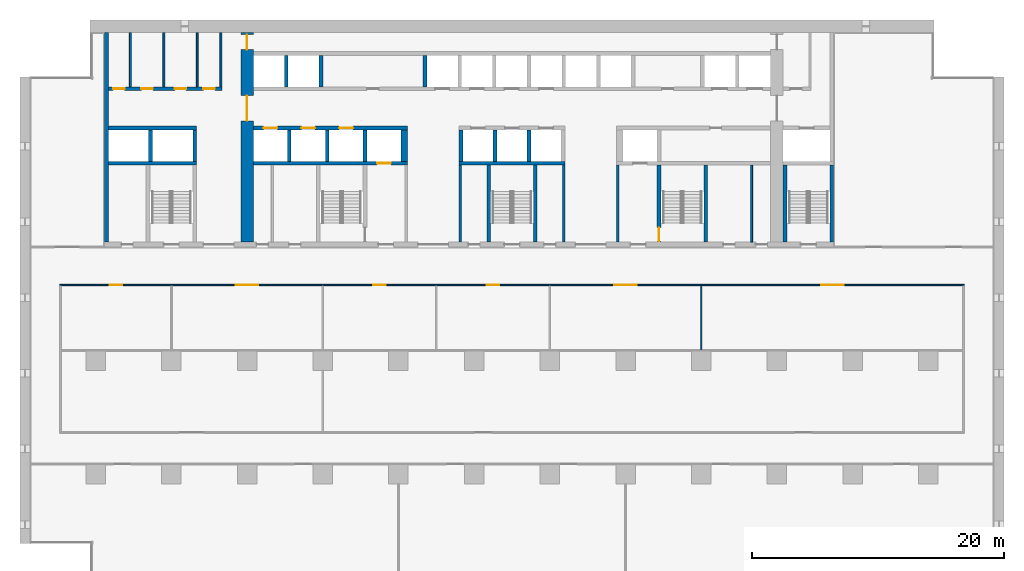
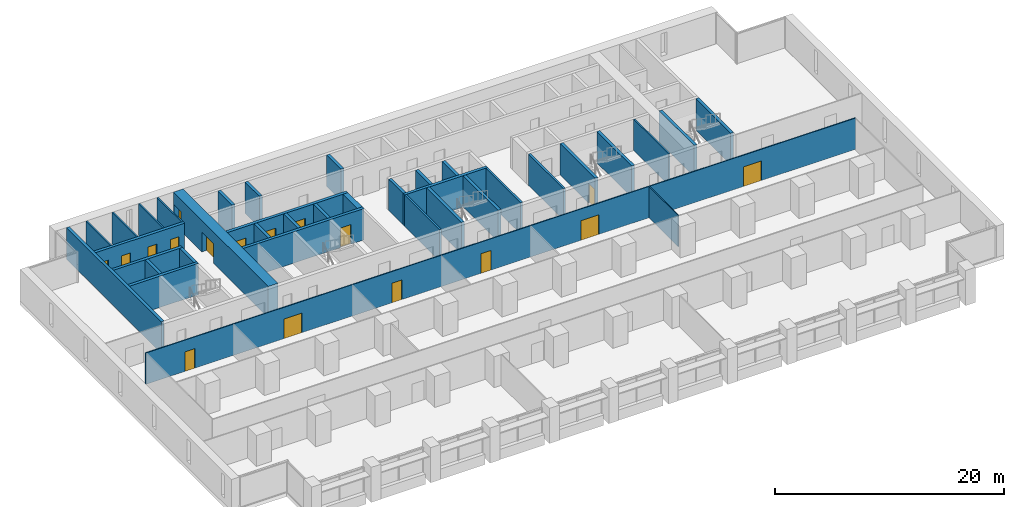
# One storey, part 10 of 17: 36 walls, 17 doors, 17 openings.
"""IFC4 building model written with IfcOpenShell, lengths in metres."""

from ifc_helpers import new_model, si_unit, direction, frame, frame_2d, origin, place, context, subcontext, project, spatial, rectangle, extrude, material, layer, layer_set, type_object, element, fill, save


model = new_model("IFC4")

# Units and contexts
model_context = context("Model", 3, precision=1e-05, world=origin(), true_north=direction((0.0, 1.0)))
body_context = subcontext(model_context, "Body", "Model", "MODEL_VIEW")
ifc_project = project(units=[si_unit("LENGTHUNIT", "METRE"), si_unit("AREAUNIT", "SQUARE_METRE"), si_unit("VOLUMEUNIT", "CUBIC_METRE"), si_unit("PLANEANGLEUNIT", "RADIAN"), si_unit("MASSUNIT", "GRAM", prefix="KILO")], contexts=[model_context])

# Site, building, storey
site_placement = place(None, origin())
site = spatial("IfcSite", under=ifc_project, at=site_placement, CompositionType="ELEMENT")
building_placement = place(site_placement, origin())
building = spatial("IfcBuilding", under=site, at=building_placement, Name="Calvaro Tower", CompositionType="ELEMENT")
storey_placement = place(building_placement, frame((0.0, 0.0, 75.0)))
storey = spatial("IfcBuildingStorey", under=building, at=storey_placement, Name="L18", CompositionType="ELEMENT", Elevation=75.0)

# Walls
ifc_material_1 = material(Name="Blockwork partition", Category="masonry")
ifc_layer_1 = layer(ifc_material_1, 0.14990234375)
ifc_layer_set_1 = layer_set([ifc_layer_1], Name="Blockwork partition")
wall_type_1 = type_object("IfcWallType", Name="Core partition 150 EI 60", PredefinedType="PARTITIONING", material=ifc_layer_set_1)
wall_1_placement = place(storey_placement, frame((58.0, 28.39990234375, 0.0), z_axis=(0.0, 0.0, 1.0), x_axis=(0.0, 1.0, 0.0)))
element("IfcWall", 1, at=wall_1_placement, inside=storey, type_object=wall_type_1, Name="Core partition", PredefinedType="PARTITIONING", context=body_context, shape_type="SweptSolid", body=[
    extrude(rectangle(XDim=6.10009765625, YDim=0.14990234375, at=frame_2d((3.050048828125, 0.0))), origin(), (0.0, 0.0, 1.0), 3.35009765625),
])
for number, where, z_axis, x_axis, name in (
    (2, (8.75, 40.699951171875, 0.0), (0.0, 0.0, 1.0), (0.0, 1.0, 0.0), "Core partition"),
    (3, (11.39990234375, 40.699951171875, 0.0), (0.0, 0.0, 1.0), (0.0, 1.0, 0.0), "Core partition"),
    (4, (14.050048828125, 40.699951171875, 0.0), (0.0, 0.0, 1.0), (0.0, 1.0, 0.0), "Core partition"),
):
    element("IfcWall", number, at=place(storey_placement, frame(where, z_axis=z_axis, x_axis=x_axis)), inside=storey, type_object=wall_type_1, Name=name, PredefinedType="PARTITIONING", context=body_context, shape_type="SweptSolid", body=[
        extrude(rectangle(XDim=4.300048828125, YDim=0.14990234375, at=frame_2d((2.14990234375, 0.0))), origin(), (0.0, 0.0, 1.0), 3.35009765625),
    ])
ifc_material_2 = material(Name="Blockwork partition", Category="masonry")
ifc_layer_2 = layer(ifc_material_2, 0.14990234375)
ifc_layer_set_2 = layer_set([ifc_layer_2], Name="Blockwork partition")
wall_type_2 = type_object("IfcWallType", Name="Core partition 150 REI 120", PredefinedType="PARTITIONING", material=ifc_layer_set_2)
wall_2_placement = place(storey_placement, frame((15.925048828125, 40.699951171875, 0.0), z_axis=(0.0, 0.0, 1.0), x_axis=(0.0, 1.0, 0.0)))
element("IfcWall", 5, at=wall_2_placement, inside=storey, type_object=wall_type_2, Name="Core partition", PredefinedType="PARTITIONING", context=body_context, shape_type="SweptSolid", body=[
    extrude(rectangle(XDim=4.300048828125, YDim=0.14990234375, at=frame_2d((2.14990234375, 0.0))), origin(), (0.0, 0.0, 1.0), 3.35009765625),
])
ifc_material_3 = material(Name="Blockwork partition", Category="masonry")
ifc_layer_3 = layer(ifc_material_3, 0.199951171875)
ifc_layer_set_3 = layer_set([ifc_layer_3], Name="Blockwork partition")
wall_type_3 = type_object("IfcWallType", Name="Core partition 200 REI 120", PredefinedType="PARTITIONING", material=ifc_layer_set_3)
for number, where, z_axis, x_axis, name in (
    (6, (34.89990234375, 28.39990234375, 0.0), (0.0, 0.0, 1.0), (0.0, 1.0, 0.0), "Core partition"),
    (7, (43.10009765625, 28.39990234375, 0.0), (0.0, 0.0, 1.0), (0.0, 1.0, 0.0), "Core partition"),
    (8, (47.39990234375, 28.39990234375, 0.0), (0.0, 0.0, 1.0), (0.0, 1.0, 0.0), "Core partition"),
):
    element("IfcWall", number, at=place(storey_placement, frame(where, z_axis=z_axis, x_axis=x_axis)), inside=storey, type_object=wall_type_3, Name=name, PredefinedType="PARTITIONING", context=body_context, shape_type="SweptSolid", body=[
        extrude(rectangle(XDim=6.10009765625, YDim=0.199951171875, at=frame_2d((3.050048828125, 0.0))), origin(), (0.0, 0.0, 1.0), 3.35009765625),
    ])

# Wall, openings, doors
ifc_material_4 = material(Name="Blockwork partition", Category="masonry")
ifc_layer_4 = layer(ifc_material_4, 0.300048828125)
ifc_layer_set_4 = layer_set([ifc_layer_4], Name="Blockwork partition")
wall_type_4 = type_object("IfcWallType", Name="Core partition 300 REI 120", PredefinedType="PARTITIONING", material=ifc_layer_set_4)
wall_3_placement = place(storey_placement, frame((7.0, 40.550048828125, 0.0), z_axis=(0.0, 0.0, 1.0), x_axis=(1.0, 0.0, 0.0)))
wall_3 = element("IfcWall", 9, at=wall_3_placement, inside=storey, type_object=wall_type_4, Name="Core partition", PredefinedType="PARTITIONING", context=body_context, shape_type="SweptSolid", body=[
    extrude(rectangle(XDim=9.0, YDim=0.300048828125, at=frame_2d((4.5, 0.0))), origin(), (0.0, 0.0, 1.0), 3.35009765625),
])
opening_1_placement = place(wall_3_placement, frame((0.387451171875, 0.0, 0.0)))
opening_1 = element("IfcOpeningElement", 10, at=opening_1_placement, cuts=wall_3, Name="Opening RD9C", PredefinedType="OPENING", context=body_context, shape_type="SweptSolid", body=[
    extrude(rectangle(XDim=0.89990234375, YDim=2.10009765625, at=frame_2d((0.449951171875, 1.050048828125))), frame((0.0, 0.159912109375, 0.0), z_axis=(0.0, -1.0, 0.0), x_axis=(1.0, 0.0, 0.0)), (0.0, 0.0, 1.0), 0.320068359375),
])
opening_2_placement = place(wall_3_placement, frame((2.625, 0.0, 0.0)))
opening_2 = element("IfcOpeningElement", 11, at=opening_2_placement, cuts=wall_3, Name="Opening RD9", PredefinedType="OPENING", context=body_context, shape_type="SweptSolid", body=[
    extrude(rectangle(XDim=0.89990234375, YDim=2.10009765625, at=frame_2d((0.449951171875, 1.050048828125))), frame((0.0, 0.159912109375, 0.0), z_axis=(0.0, -1.0, 0.0), x_axis=(1.0, 0.0, 0.0)), (0.0, 0.0, 1.0), 0.320068359375),
])
opening_3_placement = place(wall_3_placement, frame((5.27490234375, 0.0, 0.0)))
opening_3 = element("IfcOpeningElement", 12, at=opening_3_placement, cuts=wall_3, Name="Opening RD9", PredefinedType="OPENING", context=body_context, shape_type="SweptSolid", body=[
    extrude(rectangle(XDim=0.89990234375, YDim=2.10009765625, at=frame_2d((0.449951171875, 1.050048828125))), frame((0.0, 0.159912109375, 0.0), z_axis=(0.0, -1.0, 0.0), x_axis=(1.0, 0.0, 0.0)), (0.0, 0.0, 1.0), 0.320068359375),
])
opening_4_placement = place(wall_3_placement, frame((7.53759765625, 0.0, 0.0)))
opening_4 = element("IfcOpeningElement", 13, at=opening_4_placement, cuts=wall_3, Name="Opening RD9", PredefinedType="OPENING", context=body_context, shape_type="SweptSolid", body=[
    extrude(rectangle(XDim=0.89990234375, YDim=2.10009765625, at=frame_2d((0.449951171875, 1.050048828125))), frame((0.0, 0.159912109375, 0.0), z_axis=(0.0, -1.0, 0.0), x_axis=(1.0, 0.0, 0.0)), (0.0, 0.0, 1.0), 0.320068359375),
])
ifc_material_5 = material(Name="Steel door set", Category="steel")
door_type_1 = type_object("IfcDoorType", Name="Room door 900", OperationType="SINGLE_SWING_LEFT", PredefinedType="DOOR", material=ifc_material_5)
door_1_placement = place(opening_2_placement, origin())
door_1 = element("IfcDoor", 14, at=door_1_placement, inside=storey, type_object=door_type_1, Name="Room door", OperationType="SINGLE_SWING_LEFT", OverallHeight=2.10009765625, OverallWidth=0.89990234375, PredefinedType="DOOR", context=body_context, shape_type="SweptSolid", body=[
    extrude(rectangle(XDim=0.89990234375, YDim=2.10009765625, at=frame_2d((0.449951171875, 1.050048828125))), frame((0.0, 0.02490234375, 0.0), z_axis=(0.0, -1.0, 0.0), x_axis=(1.0, 0.0, 0.0)), (0.0, 0.0, 1.0), 0.050048828125),
])
fill(opening_2, door_1)
door_2_placement = place(opening_3_placement, origin())
door_2 = element("IfcDoor", 15, at=door_2_placement, inside=storey, type_object=door_type_1, Name="Room door", OperationType="SINGLE_SWING_LEFT", OverallHeight=2.10009765625, OverallWidth=0.89990234375, PredefinedType="DOOR", context=body_context, shape_type="SweptSolid", body=[
    extrude(rectangle(XDim=0.89990234375, YDim=2.10009765625, at=frame_2d((0.449951171875, 1.050048828125))), frame((0.0, 0.02490234375, 0.0), z_axis=(0.0, -1.0, 0.0), x_axis=(1.0, 0.0, 0.0)), (0.0, 0.0, 1.0), 0.050048828125),
])
fill(opening_3, door_2)
door_3_placement = place(opening_4_placement, origin())
door_3 = element("IfcDoor", 16, at=door_3_placement, inside=storey, type_object=door_type_1, Name="Room door", OperationType="SINGLE_SWING_RIGHT", OverallHeight=2.10009765625, OverallWidth=0.89990234375, PredefinedType="DOOR", context=body_context, shape_type="SweptSolid", body=[
    extrude(rectangle(XDim=0.89990234375, YDim=2.10009765625, at=frame_2d((0.449951171875, 1.050048828125))), frame((0.0, 0.02490234375, 0.0), z_axis=(0.0, -1.0, 0.0), x_axis=(1.0, 0.0, 0.0)), (0.0, 0.0, 1.0), 0.050048828125),
])
fill(opening_4, door_3)
ifc_material_6 = material(Name="Steel door set", Category="steel")
door_type_2 = type_object("IfcDoorType", Name="Room door 900 FD30", OperationType="SINGLE_SWING_LEFT", PredefinedType="DOOR", material=ifc_material_6)
door_4_placement = place(opening_1_placement, origin())
door_4 = element("IfcDoor", 17, at=door_4_placement, inside=storey, type_object=door_type_2, Name="Room door", OperationType="SINGLE_SWING_LEFT", OverallHeight=2.10009765625, OverallWidth=0.89990234375, PredefinedType="DOOR", context=body_context, shape_type="SweptSolid", body=[
    extrude(rectangle(XDim=0.89990234375, YDim=2.10009765625, at=frame_2d((0.449951171875, 1.050048828125))), frame((0.0, 0.02490234375, 0.0), z_axis=(0.0, -1.0, 0.0), x_axis=(1.0, 0.0, 0.0)), (0.0, 0.0, 1.0), 0.050048828125),
])
fill(opening_1, door_4)

ifc_material_7 = material(Name="Concrete C80/95", Category="concrete")
ifc_layer_5 = layer(ifc_material_7, 1.0)
ifc_layer_set_5 = layer_set([ifc_layer_5], Name="Concrete C80/95")
wall_type_5 = type_object("IfcWallType", Name="Core wall C80/95 1000", PredefinedType="SHEAR", material=ifc_layer_set_5)
wall_4_placement = place(storey_placement, frame((18.0, 28.39990234375, 0.0), z_axis=(0.0, 0.0, 1.0), x_axis=(0.0, 1.0, 0.0)))
wall_4 = element("IfcWall", 18, at=wall_4_placement, inside=storey, type_object=wall_type_5, Name="Core wall, cross shear wall", PredefinedType="SHEAR", context=body_context, shape_type="SweptSolid", body=[
    extrude(rectangle(XDim=16.60009765625, YDim=1.0, at=frame_2d((8.300048828125, 0.0))), origin(), (0.0, 0.0, 1.0), 3.35009765625),
])
opening_5_placement = place(wall_4_placement, frame((9.60009765625, 0.0, 0.0)))
opening_5 = element("IfcOpeningElement", 19, at=opening_5_placement, cuts=wall_4, Name="Opening DD20D", PredefinedType="OPENING", context=body_context, shape_type="SweptSolid", body=[
    extrude(rectangle(XDim=2.0, YDim=2.10009765625, at=frame_2d((1.0, 1.050048828125))), frame((0.0, 0.510009765625, 0.0), z_axis=(0.0, -1.0, 0.0), x_axis=(1.0, 0.0, 0.0)), (0.0, 0.0, 1.0), 1.02001953125),
])
opening_6_placement = place(wall_4_placement, frame((15.25, 0.0, 0.0)))
opening_6 = element("IfcOpeningElement", 20, at=opening_6_placement, cuts=wall_4, Name="Opening FD12C", PredefinedType="OPENING", context=body_context, shape_type="SweptSolid", body=[
    extrude(rectangle(XDim=1.199951171875, YDim=2.10009765625, at=frame_2d((0.60009765625, 1.050048828125))), frame((0.0, 0.510009765625, 0.0), z_axis=(0.0, -1.0, 0.0), x_axis=(1.0, 0.0, 0.0)), (0.0, 0.0, 1.0), 1.02001953125),
])
ifc_material_8 = material(Name="Steel door set", Category="steel")
door_type_3 = type_object("IfcDoorType", Name="Fire door 1200 FD30", OperationType="SINGLE_SWING_LEFT", PredefinedType="DOOR", material=ifc_material_8)
door_5_placement = place(opening_6_placement, origin())
door_5 = element("IfcDoor", 21, at=door_5_placement, inside=storey, type_object=door_type_3, Name="Fire door", OperationType="SINGLE_SWING_LEFT", OverallHeight=2.10009765625, OverallWidth=1.199951171875, PredefinedType="DOOR", context=body_context, shape_type="SweptSolid", body=[
    extrude(rectangle(XDim=1.199951171875, YDim=2.10009765625, at=frame_2d((0.60009765625, 1.050048828125))), frame((0.0, 0.02490234375, 0.0), z_axis=(0.0, -1.0, 0.0), x_axis=(1.0, 0.0, 0.0)), (0.0, 0.0, 1.0), 0.050048828125),
])
fill(opening_6, door_5)
ifc_material_9 = material(Name="Steel door set", Category="steel")
door_type_4 = type_object("IfcDoorType", Name="Lobby double door 2000 FD30S", OperationType="DOUBLE_DOOR_SINGLE_SWING", PredefinedType="DOOR", material=ifc_material_9)
door_6_placement = place(opening_5_placement, origin())
door_6 = element("IfcDoor", 22, at=door_6_placement, inside=storey, type_object=door_type_4, Name="Lobby double door", OperationType="DOUBLE_DOOR_SINGLE_SWING", OverallHeight=2.10009765625, OverallWidth=2.0, PredefinedType="DOOR", context=body_context, shape_type="SweptSolid", body=[
    extrude(rectangle(XDim=2.0, YDim=2.10009765625, at=frame_2d((1.0, 1.050048828125))), frame((0.0, 0.02490234375, 0.0), z_axis=(0.0, -1.0, 0.0), x_axis=(1.0, 0.0, 0.0)), (0.0, 0.0, 1.0), 0.050048828125),
])
fill(opening_5, door_6)

# Walls
ifc_material_10 = material(Name="Concrete C80/95", Category="concrete")
ifc_layer_6 = layer(ifc_material_10, 0.300048828125)
ifc_layer_set_6 = layer_set([ifc_layer_6], Name="Concrete C80/95")
wall_type_6 = type_object("IfcWallType", Name="Core wall C80/95 300", PredefinedType="SHEAR", material=ifc_layer_set_6)
wall_5_placement = place(storey_placement, frame((6.85009765625, 28.39990234375, 0.0), z_axis=(0.0, 0.0, 1.0), x_axis=(0.0, 1.0, 0.0)))
element("IfcWall", 23, at=wall_5_placement, inside=storey, type_object=wall_type_6, Name="Core wall, boundary", PredefinedType="SHEAR", context=body_context, shape_type="SweptSolid", body=[
    extrude(rectangle(XDim=16.60009765625, YDim=0.300048828125, at=frame_2d((8.300048828125, 0.0))), origin(), (0.0, 0.0, 1.0), 3.35009765625),
])
for number, where, z_axis, x_axis, name in (
    (24, (37.14990234375, 28.39990234375, 0.0), (0.0, 0.0, 1.0), (0.0, 1.0, 0.0), "Core wall, stair enclosure"),
    (25, (40.85009765625, 28.39990234375, 0.0), (0.0, 0.0, 1.0), (0.0, 1.0, 0.0), "Core wall, stair enclosure"),
):
    element("IfcWall", number, at=place(storey_placement, frame(where, z_axis=z_axis, x_axis=x_axis)), inside=storey, type_object=wall_type_6, Name=name, PredefinedType="SHEAR", context=body_context, shape_type="SweptSolid", body=[
        extrude(rectangle(XDim=6.10009765625, YDim=0.300048828125, at=frame_2d((3.050048828125, 0.0))), origin(), (0.0, 0.0, 1.0), 3.35009765625),
    ])

# Wall, opening, door
wall_6_placement = place(storey_placement, frame((50.64990234375, 34.5, 0.0), z_axis=(0.0, 0.0, 1.0), x_axis=(0.0, -1.0, 0.0)))
wall_6 = element("IfcWall", 26, at=wall_6_placement, inside=storey, type_object=wall_type_6, Name="Core wall, stair enclosure", PredefinedType="SHEAR", context=body_context, shape_type="SweptSolid", body=[
    extrude(rectangle(XDim=6.10009765625, YDim=0.300048828125, at=frame_2d((3.050048828125, 0.0))), origin(), (0.0, 0.0, 1.0), 3.35009765625),
])
opening_7_placement = place(wall_6_placement, frame((4.949951171875, 0.0, 0.0)))
opening_7 = element("IfcOpeningElement", 27, at=opening_7_placement, cuts=wall_6, Name="Opening FD11D", PredefinedType="OPENING", context=body_context, shape_type="SweptSolid", body=[
    extrude(rectangle(XDim=1.10009765625, YDim=2.10009765625, at=frame_2d((0.550048828125, 1.050048828125))), frame((0.0, 0.159912109375, 0.0), z_axis=(0.0, -1.0, 0.0), x_axis=(1.0, 0.0, 0.0)), (0.0, 0.0, 1.0), 0.320068359375),
])
ifc_material_11 = material(Name="Steel door set", Category="steel")
door_type_5 = type_object("IfcDoorType", Name="Fire door 1100 FD30S", OperationType="SINGLE_SWING_LEFT", PredefinedType="DOOR", material=ifc_material_11)
door_7_placement = place(opening_7_placement, origin())
door_7 = element("IfcDoor", 28, at=door_7_placement, inside=storey, type_object=door_type_5, Name="Fire door", OperationType="SINGLE_SWING_RIGHT", OverallHeight=2.10009765625, OverallWidth=1.10009765625, PredefinedType="DOOR", context=body_context, shape_type="SweptSolid", body=[
    extrude(rectangle(XDim=1.10009765625, YDim=2.10009765625, at=frame_2d((0.550048828125, 1.050048828125))), frame((0.0, 0.02490234375, 0.0), z_axis=(0.0, -1.0, 0.0), x_axis=(1.0, 0.0, 0.0)), (0.0, 0.0, 1.0), 0.050048828125),
])
fill(opening_7, door_7)

# Walls
for number, where, z_axis, x_axis, name in (
    (29, (54.35009765625, 28.39990234375, 0.0), (0.0, 0.0, 1.0), (0.0, 1.0, 0.0), "Core wall, stair enclosure"),
    (30, (60.64990234375, 28.39990234375, 0.0), (0.0, 0.0, 1.0), (0.0, 1.0, 0.0), "Core wall, stair enclosure"),
    (31, (64.35009765625, 28.39990234375, 0.0), (0.0, 0.0, 1.0), (0.0, 1.0, 0.0), "Core wall, stair enclosure"),
):
    element("IfcWall", number, at=place(storey_placement, frame(where, z_axis=z_axis, x_axis=x_axis)), inside=storey, type_object=wall_type_6, Name=name, PredefinedType="SHEAR", context=body_context, shape_type="SweptSolid", body=[
        extrude(rectangle(XDim=6.10009765625, YDim=0.300048828125, at=frame_2d((3.050048828125, 0.0))), origin(), (0.0, 0.0, 1.0), 3.35009765625),
    ])
wall_7_placement = place(storey_placement, frame((7.0, 34.64990234375, 0.0), z_axis=(0.0, 0.0, 1.0), x_axis=(1.0, 0.0, 0.0)))
element("IfcWall", 32, at=wall_7_placement, inside=storey, type_object=wall_type_6, Name="Core wall, lift shaft", PredefinedType="SHEAR", context=body_context, shape_type="SweptSolid", body=[
    extrude(rectangle(XDim=7.0, YDim=0.300048828125, at=frame_2d((3.5, 0.0))), origin(), (0.0, 0.0, 1.0), 3.35009765625),
])

# Wall, opening, door
wall_8_placement = place(storey_placement, frame((18.5, 34.64990234375, 0.0), z_axis=(0.0, 0.0, 1.0), x_axis=(1.0, 0.0, 0.0)))
wall_8 = element("IfcWall", 33, at=wall_8_placement, inside=storey, type_object=wall_type_6, Name="Core wall, lift shaft", PredefinedType="SHEAR", context=body_context, shape_type="SweptSolid", body=[
    extrude(rectangle(XDim=12.199951171875, YDim=0.300048828125, at=frame_2d((6.10009765625, 0.0))), origin(), (0.0, 0.0, 1.0), 3.35009765625),
])
opening_8_placement = place(wall_8_placement, frame((9.800048828125, 0.0, 0.0)))
opening_8 = element("IfcOpeningElement", 34, at=opening_8_placement, cuts=wall_8, Name="Opening FF1", PredefinedType="OPENING", context=body_context, shape_type="SweptSolid", body=[
    extrude(rectangle(XDim=1.10009765625, YDim=2.10009765625, at=frame_2d((0.550048828125, 1.050048828125))), frame((0.0, 0.159912109375, 0.0), z_axis=(0.0, -1.0, 0.0), x_axis=(1.0, 0.0, 0.0)), (0.0, 0.0, 1.0), 0.320068359375),
])
ifc_material_12 = material(Name="Stainless steel", Category="steel")
door_type_6 = type_object("IfcDoorType", Name="Landing door 1100 E 60", OperationType="SLIDING_TO_LEFT", PredefinedType="DOOR", material=ifc_material_12)
door_8_placement = place(opening_8_placement, origin())
door_8 = element("IfcDoor", 35, at=door_8_placement, inside=storey, type_object=door_type_6, Name="Landing door FF1", OperationType="SLIDING_TO_LEFT", OverallHeight=2.10009765625, OverallWidth=1.10009765625, PredefinedType="DOOR", context=body_context, shape_type="SweptSolid", body=[
    extrude(rectangle(XDim=1.10009765625, YDim=2.10009765625, at=frame_2d((0.550048828125, 1.050048828125))), frame((0.0, 0.02490234375, 0.0), z_axis=(0.0, -1.0, 0.0), x_axis=(1.0, 0.0, 0.0)), (0.0, 0.0, 1.0), 0.050048828125),
])
fill(opening_8, door_8)

# Walls
wall_9_placement = place(storey_placement, frame((34.800048828125, 34.64990234375, 0.0), z_axis=(0.0, 0.0, 1.0), x_axis=(1.0, 0.0, 0.0)))
element("IfcWall", 36, at=wall_9_placement, inside=storey, type_object=wall_type_6, Name="Core wall, lift shaft", PredefinedType="SHEAR", context=body_context, shape_type="SweptSolid", body=[
    extrude(rectangle(XDim=8.39990234375, YDim=0.300048828125, at=frame_2d((4.199951171875, 0.0))), origin(), (0.0, 0.0, 1.0), 3.35009765625),
])
wall_10_placement = place(storey_placement, frame((7.0, 37.449951171875, 0.0), z_axis=(0.0, 0.0, 1.0), x_axis=(1.0, 0.0, 0.0)))
element("IfcWall", 37, at=wall_10_placement, inside=storey, type_object=wall_type_6, Name="Core wall, lift shaft", PredefinedType="SHEAR", context=body_context, shape_type="SweptSolid", body=[
    extrude(rectangle(XDim=7.0, YDim=0.300048828125, at=frame_2d((3.5, 0.0))), origin(), (0.0, 0.0, 1.0), 3.35009765625),
])

# Wall, openings, doors
wall_11_placement = place(storey_placement, frame((18.5, 37.449951171875, 0.0), z_axis=(0.0, 0.0, 1.0), x_axis=(1.0, 0.0, 0.0)))
wall_11 = element("IfcWall", 38, at=wall_11_placement, inside=storey, type_object=wall_type_6, Name="Core wall, lift shaft", PredefinedType="SHEAR", context=body_context, shape_type="SweptSolid", body=[
    extrude(rectangle(XDim=12.199951171875, YDim=0.300048828125, at=frame_2d((6.10009765625, 0.0))), origin(), (0.0, 0.0, 1.0), 3.35009765625),
])
opening_9_placement = place(wall_11_placement, frame((0.800048828125, 0.0, 0.0)))
opening_9 = element("IfcOpeningElement", 39, at=opening_9_placement, cuts=wall_11, Name="Opening LR1", PredefinedType="OPENING", context=body_context, shape_type="SweptSolid", body=[
    extrude(rectangle(XDim=1.10009765625, YDim=2.10009765625, at=frame_2d((0.550048828125, 1.050048828125))), frame((0.0, 0.159912109375, 0.0), z_axis=(0.0, -1.0, 0.0), x_axis=(1.0, 0.0, 0.0)), (0.0, 0.0, 1.0), 0.320068359375),
])
opening_10_placement = place(wall_11_placement, frame((3.800048828125, 0.0, 0.0)))
opening_10 = element("IfcOpeningElement", 40, at=opening_10_placement, cuts=wall_11, Name="Opening LR2", PredefinedType="OPENING", context=body_context, shape_type="SweptSolid", body=[
    extrude(rectangle(XDim=1.10009765625, YDim=2.10009765625, at=frame_2d((0.550048828125, 1.050048828125))), frame((0.0, 0.159912109375, 0.0), z_axis=(0.0, -1.0, 0.0), x_axis=(1.0, 0.0, 0.0)), (0.0, 0.0, 1.0), 0.320068359375),
])
opening_11_placement = place(wall_11_placement, frame((6.800048828125, 0.0, 0.0)))
opening_11 = element("IfcOpeningElement", 41, at=opening_11_placement, cuts=wall_11, Name="Opening LR3", PredefinedType="OPENING", context=body_context, shape_type="SweptSolid", body=[
    extrude(rectangle(XDim=1.10009765625, YDim=2.10009765625, at=frame_2d((0.550048828125, 1.050048828125))), frame((0.0, 0.159912109375, 0.0), z_axis=(0.0, -1.0, 0.0), x_axis=(1.0, 0.0, 0.0)), (0.0, 0.0, 1.0), 0.320068359375),
])
door_9_placement = place(opening_9_placement, origin())
door_9 = element("IfcDoor", 42, at=door_9_placement, inside=storey, type_object=door_type_6, Name="Landing door LR1", OperationType="SLIDING_TO_LEFT", OverallHeight=2.10009765625, OverallWidth=1.10009765625, PredefinedType="DOOR", context=body_context, shape_type="SweptSolid", body=[
    extrude(rectangle(XDim=1.10009765625, YDim=2.10009765625, at=frame_2d((0.550048828125, 1.050048828125))), frame((0.0, 0.02490234375, 0.0), z_axis=(0.0, -1.0, 0.0), x_axis=(1.0, 0.0, 0.0)), (0.0, 0.0, 1.0), 0.050048828125),
])
fill(opening_9, door_9)
door_10_placement = place(opening_10_placement, origin())
door_10 = element("IfcDoor", 43, at=door_10_placement, inside=storey, type_object=door_type_6, Name="Landing door LR2", OperationType="SLIDING_TO_LEFT", OverallHeight=2.10009765625, OverallWidth=1.10009765625, PredefinedType="DOOR", context=body_context, shape_type="SweptSolid", body=[
    extrude(rectangle(XDim=1.10009765625, YDim=2.10009765625, at=frame_2d((0.550048828125, 1.050048828125))), frame((0.0, 0.02490234375, 0.0), z_axis=(0.0, -1.0, 0.0), x_axis=(1.0, 0.0, 0.0)), (0.0, 0.0, 1.0), 0.050048828125),
])
fill(opening_10, door_10)
door_11_placement = place(opening_11_placement, origin())
door_11 = element("IfcDoor", 44, at=door_11_placement, inside=storey, type_object=door_type_6, Name="Landing door LR3", OperationType="SLIDING_TO_LEFT", OverallHeight=2.10009765625, OverallWidth=1.10009765625, PredefinedType="DOOR", context=body_context, shape_type="SweptSolid", body=[
    extrude(rectangle(XDim=1.10009765625, YDim=2.10009765625, at=frame_2d((0.550048828125, 1.050048828125))), frame((0.0, 0.02490234375, 0.0), z_axis=(0.0, -1.0, 0.0), x_axis=(1.0, 0.0, 0.0)), (0.0, 0.0, 1.0), 0.050048828125),
])
fill(opening_11, door_11)

# Walls
for number, where, z_axis, x_axis, name in (
    (45, (27.35009765625, 34.800048828125, 0.0), (0.0, 0.0, 1.0), (0.0, 1.0, 0.0), "Core wall, lift shaft"),
    (46, (34.949951171875, 34.800048828125, 0.0), (0.0, 0.0, 1.0), (0.0, 1.0, 0.0), "Core wall, lift shaft"),
    (47, (13.85009765625, 34.800048828125, 0.0), (0.0, 0.0, 1.0), (0.0, 1.0, 0.0), "Core wall, lift shaft"),
    (48, (21.35009765625, 34.800048828125, 0.0), (0.0, 0.0, 1.0), (0.0, 1.0, 0.0), "Core wall, lift shaft"),
    (49, (24.35009765625, 34.800048828125, 0.0), (0.0, 0.0, 1.0), (0.0, 1.0, 0.0), "Core wall, lift shaft"),
    (50, (37.64990234375, 34.800048828125, 0.0), (0.0, 0.0, 1.0), (0.0, 1.0, 0.0), "Core wall, lift shaft"),
    (51, (40.35009765625, 34.800048828125, 0.0), (0.0, 0.0, 1.0), (0.0, 1.0, 0.0), "Core wall, lift shaft"),
    (52, (21.10009765625, 40.699951171875, 0.0), (0.0, 0.0, 1.0), (0.0, 1.0, 0.0), "Core wall, lift shaft"),
    (53, (23.85009765625, 40.699951171875, 0.0), (0.0, 0.0, 1.0), (0.0, 1.0, 0.0), "Core wall, lift shaft"),
    (54, (32.10009765625, 40.699951171875, 0.0), (0.0, 0.0, 1.0), (0.0, 1.0, 0.0), "Core wall, lift shaft"),
    (55, (10.35009765625, 34.800048828125, 0.0), (0.0, 0.0, 1.0), (0.0, 1.0, 0.0), "Core wall, lift shaft"),
):
    element("IfcWall", number, at=place(storey_placement, frame(where, z_axis=z_axis, x_axis=x_axis)), inside=storey, type_object=wall_type_6, Name=name, PredefinedType="SHEAR", context=body_context, shape_type="SweptSolid", body=[
        extrude(rectangle(XDim=2.5, YDim=0.300048828125, at=frame_2d((1.25, 0.0))), origin(), (0.0, 0.0, 1.0), 3.35009765625),
    ])
ifc_material_13 = material(Name="Concrete C80/95", Category="concrete")
ifc_layer_7 = layer(ifc_material_13, 0.5)
ifc_layer_set_7 = layer_set([ifc_layer_7], Name="Concrete C80/95")
wall_type_7 = type_object("IfcWallType", Name="Core wall C80/95 500", PredefinedType="SHEAR", material=ifc_layer_set_7)
wall_12_placement = place(storey_placement, frame((30.449951171875, 34.800048828125, 0.0), z_axis=(0.0, 0.0, 1.0), x_axis=(0.0, 1.0, 0.0)))
element("IfcWall", 56, at=wall_12_placement, inside=storey, type_object=wall_type_7, Name="Core wall, lift shaft", PredefinedType="SHEAR", context=body_context, shape_type="SweptSolid", body=[
    extrude(rectangle(XDim=2.5, YDim=0.5, at=frame_2d((1.25, 0.0))), origin(), (0.0, 0.0, 1.0), 3.35009765625),
])
ifc_material_14 = material(Name="Plasterboard on steel studs", Category="steel")
ifc_layer_8 = layer(ifc_material_14, 0.10009765625)
ifc_layer_set_8 = layer_set([ifc_layer_8], Name="Plasterboard on steel studs")
wall_type_8 = type_object("IfcWallType", Name="Partition 100", PredefinedType="PARTITIONING", material=ifc_layer_set_8)
wall_13_placement = place(storey_placement, frame((54.0, 19.85009765625, 0.0), z_axis=(0.0, 0.0, 1.0), x_axis=(0.0, 1.0, 0.0)))
element("IfcWall", 57, at=wall_13_placement, inside=storey, type_object=wall_type_8, Name="Partition T13.W015", PredefinedType="PARTITIONING", context=body_context, shape_type="SweptSolid", body=[
    extrude(rectangle(XDim=5.099853515625, YDim=0.10009765625, at=frame_2d((2.5498046875, 0.0))), origin(), (0.0, 0.0, 1.0), 3.35009765625),
])

# Wall, openings, doors
ifc_material_15 = material(Name="Plasterboard on steel studs", Category="steel")
ifc_layer_9 = layer(ifc_material_15, 0.10009765625)
ifc_layer_set_9 = layer_set([ifc_layer_9], Name="Plasterboard on steel studs")
wall_type_9 = type_object("IfcWallType", Name="Partition 100 REI 120", PredefinedType="PARTITIONING", material=ifc_layer_set_9)
wall_14_placement = place(storey_placement, frame((3.14990234375, 25.0, 0.0), z_axis=(0.0, 0.0, 1.0), x_axis=(1.0, 0.0, 0.0)))
wall_14 = element("IfcWall", 58, at=wall_14_placement, inside=storey, type_object=wall_type_9, Name="Partition T13.W004", PredefinedType="PARTITIONING", context=body_context, shape_type="SweptSolid", body=[
    extrude(rectangle(XDim=71.7001953125, YDim=0.10009765625, at=frame_2d((35.85009765625, 0.0))), origin(), (0.0, 0.0, 1.0), 3.35009765625),
])
opening_12_placement = place(wall_14_placement, frame((3.949951171875, 0.0, 0.0)))
opening_12 = element("IfcOpeningElement", 59, at=opening_12_placement, cuts=wall_14, Name="Opening T13.010", PredefinedType="OPENING", context=body_context, shape_type="SweptSolid", body=[
    extrude(rectangle(XDim=1.0, YDim=2.10009765625, at=frame_2d((0.5, 1.050048828125))), frame((0.0, 0.06005859375, 0.0), z_axis=(0.0, -1.0, 0.0), x_axis=(1.0, 0.0, 0.0)), (0.0, 0.0, 1.0), 0.1201171875),
])
opening_13_placement = place(wall_14_placement, frame((13.949951171875, 0.0, 0.0)))
opening_13 = element("IfcOpeningElement", 60, at=opening_13_placement, cuts=wall_14, Name="Opening T13.011", PredefinedType="OPENING", context=body_context, shape_type="SweptSolid", body=[
    extrude(rectangle(XDim=1.800048828125, YDim=2.10009765625, at=frame_2d((0.89990234375, 1.050048828125))), frame((0.0, 0.06005859375, 0.0), z_axis=(0.0, -1.0, 0.0), x_axis=(1.0, 0.0, 0.0)), (0.0, 0.0, 1.0), 0.1201171875),
])
opening_14_placement = place(wall_14_placement, frame((24.85009765625, 0.0, 0.0)))
opening_14 = element("IfcOpeningElement", 61, at=opening_14_placement, cuts=wall_14, Name="Opening T13.012", PredefinedType="OPENING", context=body_context, shape_type="SweptSolid", body=[
    extrude(rectangle(XDim=1.0, YDim=2.10009765625, at=frame_2d((0.5, 1.050048828125))), frame((0.0, 0.06005859375, 0.0), z_axis=(0.0, -1.0, 0.0), x_axis=(1.0, 0.0, 0.0)), (0.0, 0.0, 1.0), 0.1201171875),
])
opening_15_placement = place(wall_14_placement, frame((33.85009765625, 0.0, 0.0)))
opening_15 = element("IfcOpeningElement", 62, at=opening_15_placement, cuts=wall_14, Name="Opening T13.013", PredefinedType="OPENING", context=body_context, shape_type="SweptSolid", body=[
    extrude(rectangle(XDim=1.0, YDim=2.10009765625, at=frame_2d((0.5, 1.050048828125))), frame((0.0, 0.06005859375, 0.0), z_axis=(0.0, -1.0, 0.0), x_axis=(1.0, 0.0, 0.0)), (0.0, 0.0, 1.0), 0.1201171875),
])
opening_16_placement = place(wall_14_placement, frame((43.949951171875, 0.0, 0.0)))
opening_16 = element("IfcOpeningElement", 63, at=opening_16_placement, cuts=wall_14, Name="Opening T13.014", PredefinedType="OPENING", context=body_context, shape_type="SweptSolid", body=[
    extrude(rectangle(XDim=1.800048828125, YDim=2.10009765625, at=frame_2d((0.89990234375, 1.050048828125))), frame((0.0, 0.06005859375, 0.0), z_axis=(0.0, -1.0, 0.0), x_axis=(1.0, 0.0, 0.0)), (0.0, 0.0, 1.0), 0.1201171875),
])
opening_17_placement = place(wall_14_placement, frame((60.35009765625, 0.0, 0.0)))
opening_17 = element("IfcOpeningElement", 64, at=opening_17_placement, cuts=wall_14, Name="Opening T13.015", PredefinedType="OPENING", context=body_context, shape_type="SweptSolid", body=[
    extrude(rectangle(XDim=1.800048828125, YDim=2.10009765625, at=frame_2d((0.89990234375, 1.050048828125))), frame((0.0, 0.06005859375, 0.0), z_axis=(0.0, -1.0, 0.0), x_axis=(1.0, 0.0, 0.0)), (0.0, 0.0, 1.0), 0.1201171875),
])
ifc_material_16 = material(Name="Timber", Category="wood")
door_type_7 = type_object("IfcDoorType", Name="Internal double door 1800 x 2100", OperationType="DOUBLE_DOOR_SINGLE_SWING", PredefinedType="DOOR", material=ifc_material_16)
door_12_placement = place(opening_13_placement, origin())
door_12 = element("IfcDoor", 65, at=door_12_placement, inside=storey, type_object=door_type_7, Name="Door T13.011", OperationType="DOUBLE_DOOR_SINGLE_SWING", OverallHeight=2.10009765625, OverallWidth=1.800048828125, PredefinedType="DOOR", context=body_context, shape_type="SweptSolid", body=[
    extrude(rectangle(XDim=1.800048828125, YDim=2.10009765625, at=frame_2d((0.89990234375, 1.050048828125))), frame((0.0, 0.02490234375, 0.0), z_axis=(0.0, -1.0, 0.0), x_axis=(1.0, 0.0, 0.0)), (0.0, 0.0, 1.0), 0.050048828125),
])
fill(opening_13, door_12)
door_13_placement = place(opening_16_placement, origin())
door_13 = element("IfcDoor", 66, at=door_13_placement, inside=storey, type_object=door_type_7, Name="Door T13.014", OperationType="DOUBLE_DOOR_SINGLE_SWING", OverallHeight=2.10009765625, OverallWidth=1.800048828125, PredefinedType="DOOR", context=body_context, shape_type="SweptSolid", body=[
    extrude(rectangle(XDim=1.800048828125, YDim=2.10009765625, at=frame_2d((0.89990234375, 1.050048828125))), frame((0.0, 0.02490234375, 0.0), z_axis=(0.0, -1.0, 0.0), x_axis=(1.0, 0.0, 0.0)), (0.0, 0.0, 1.0), 0.050048828125),
])
fill(opening_16, door_13)
door_14_placement = place(opening_17_placement, origin())
door_14 = element("IfcDoor", 67, at=door_14_placement, inside=storey, type_object=door_type_7, Name="Door T13.015", OperationType="DOUBLE_DOOR_SINGLE_SWING", OverallHeight=2.10009765625, OverallWidth=1.800048828125, PredefinedType="DOOR", context=body_context, shape_type="SweptSolid", body=[
    extrude(rectangle(XDim=1.800048828125, YDim=2.10009765625, at=frame_2d((0.89990234375, 1.050048828125))), frame((0.0, 0.02490234375, 0.0), z_axis=(0.0, -1.0, 0.0), x_axis=(1.0, 0.0, 0.0)), (0.0, 0.0, 1.0), 0.050048828125),
])
fill(opening_17, door_14)
ifc_material_17 = material(Name="Timber", Category="wood")
door_type_8 = type_object("IfcDoorType", Name="Internal single door 1000 x 2100", OperationType="SINGLE_SWING_LEFT", PredefinedType="DOOR", material=ifc_material_17)
door_15_placement = place(opening_12_placement, origin())
door_15 = element("IfcDoor", 68, at=door_15_placement, inside=storey, type_object=door_type_8, Name="Door T13.010", OperationType="SINGLE_SWING_LEFT", OverallHeight=2.10009765625, OverallWidth=1.0, PredefinedType="DOOR", context=body_context, shape_type="SweptSolid", body=[
    extrude(rectangle(XDim=1.0, YDim=2.10009765625, at=frame_2d((0.5, 1.050048828125))), frame((0.0, 0.02490234375, 0.0), z_axis=(0.0, -1.0, 0.0), x_axis=(1.0, 0.0, 0.0)), (0.0, 0.0, 1.0), 0.050048828125),
])
fill(opening_12, door_15)
door_16_placement = place(opening_14_placement, origin())
door_16 = element("IfcDoor", 69, at=door_16_placement, inside=storey, type_object=door_type_8, Name="Door T13.012", OperationType="SINGLE_SWING_LEFT", OverallHeight=2.10009765625, OverallWidth=1.0, PredefinedType="DOOR", context=body_context, shape_type="SweptSolid", body=[
    extrude(rectangle(XDim=1.0, YDim=2.10009765625, at=frame_2d((0.5, 1.050048828125))), frame((0.0, 0.02490234375, 0.0), z_axis=(0.0, -1.0, 0.0), x_axis=(1.0, 0.0, 0.0)), (0.0, 0.0, 1.0), 0.050048828125),
])
fill(opening_14, door_16)
ifc_material_18 = material(Name="Timber", Category="wood")
door_type_9 = type_object("IfcDoorType", Name="Internal single door 1000 x 2100 FD60", OperationType="SINGLE_SWING_LEFT", PredefinedType="DOOR", material=ifc_material_18)
door_17_placement = place(opening_15_placement, origin())
door_17 = element("IfcDoor", 70, at=door_17_placement, inside=storey, type_object=door_type_9, Name="Door T13.013", OperationType="SINGLE_SWING_LEFT", OverallHeight=2.10009765625, OverallWidth=1.0, PredefinedType="DOOR", context=body_context, shape_type="SweptSolid", body=[
    extrude(rectangle(XDim=1.0, YDim=2.10009765625, at=frame_2d((0.5, 1.050048828125))), frame((0.0, 0.02490234375, 0.0), z_axis=(0.0, -1.0, 0.0), x_axis=(1.0, 0.0, 0.0)), (0.0, 0.0, 1.0), 0.050048828125),
])
fill(opening_15, door_17)

save(model, "model.ifc")
